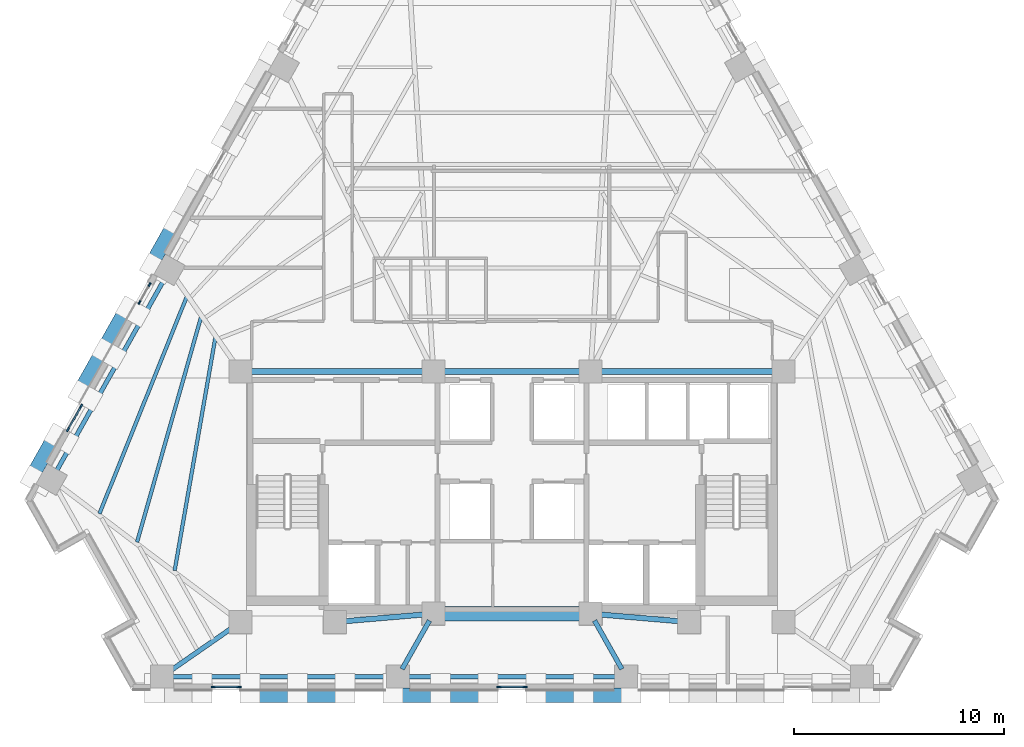
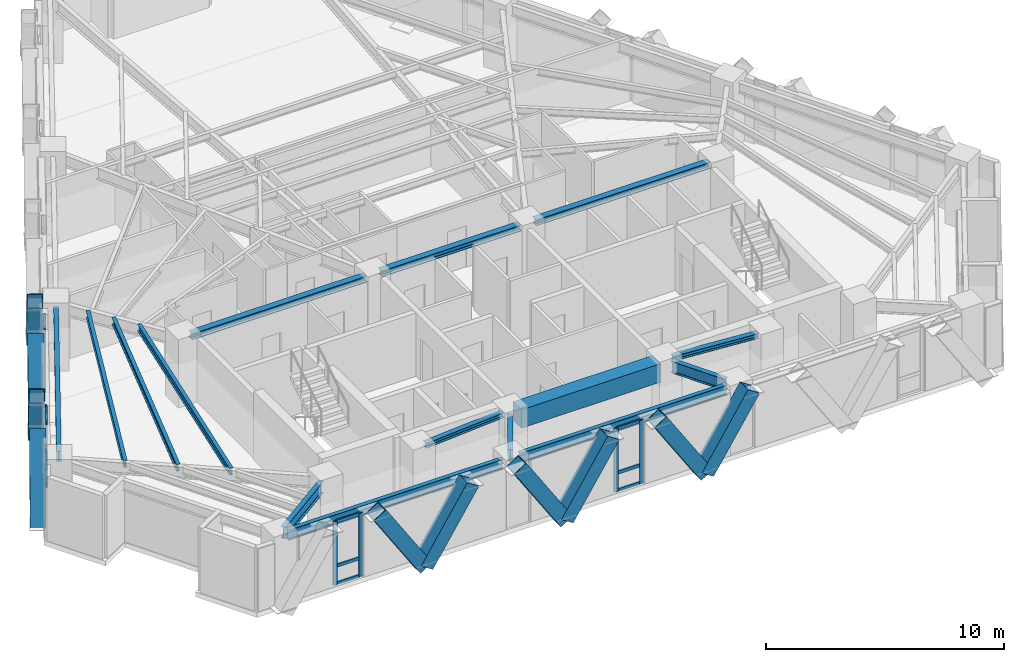
# One storey, part 2 of 13: 27 members, 15 beams, 4 elements without a shape of their own.
"""IFC4 building model written with IfcOpenShell, lengths in metres."""

from ifc_helpers import new_model, si_unit, direction, frame, origin, origin_2d, place, context, subcontext, project, spatial, rectangle, hollow_rectangle, i_section, extrude, material, material_profile, profile_set, type_object, element, aggregate, save


model = new_model("IFC4")

# Units and contexts
model_context = context("Model", 3, precision=1e-05, world=origin(), true_north=direction((0.0, 1.0)))
body_context = subcontext(model_context, "Body", "Model", "MODEL_VIEW")
ifc_project = project(units=[si_unit("LENGTHUNIT", "METRE"), si_unit("AREAUNIT", "SQUARE_METRE"), si_unit("VOLUMEUNIT", "CUBIC_METRE"), si_unit("PLANEANGLEUNIT", "RADIAN"), si_unit("MASSUNIT", "GRAM", prefix="KILO")], contexts=[model_context])

# Site, building, storey
site_placement = place(None, origin())
site = spatial("IfcSite", under=ifc_project, at=site_placement, CompositionType="ELEMENT")
building_placement = place(site_placement, origin())
building = spatial("IfcBuilding", under=site, at=building_placement, Name="Quenlor Broadcast Tower", CompositionType="ELEMENT")
storey_placement = place(building_placement, frame((0.0, 0.0, 119.5)))
storey = spatial("IfcBuildingStorey", under=building, at=storey_placement, Name="L32", CompositionType="ELEMENT", Elevation=119.5)

# Curtain wall, members
ifc_material_1 = material(Name="Architectural Terracotta and Low-E Glazing", Category="masonry")
curtain_wall_type = type_object("IfcCurtainWallType", Name="Unitised Terracotta Curtain Wall System Z2", PredefinedType="NOTDEFINED", material=ifc_material_1)
curtain_wall_1_placement = place(storey_placement, origin())
curtain_wall_1 = element("IfcCurtainWall", 1, at=curtain_wall_1_placement, inside=storey, type_object=curtain_wall_type, Name="L32 Curtain Wall CW2 (L32-SC-G1)", PredefinedType="NOTDEFINED")
ifc_material_2 = material(Name="Aluminium 6063-T6", Category="aluminium")
ifc_material_profile_1 = material_profile(ifc_material_2, rectangle(XDim=0.074951171875, YDim=0.199951171875, at=origin_2d()))
ifc_profile_set_1 = profile_set([ifc_material_profile_1], Name="Aluminium 6063-T6 MULL75x200")
member_type_1 = type_object("IfcMemberType", Name="CW2 Aluminium Mullion MULL_CW2", PredefinedType="MULLION", material=ifc_profile_set_1)
member_1_placement = place(storey_placement, frame((-13.01611328125, -19.840087890625, 0.0), z_axis=(0.0, 0.0, 1.0), x_axis=(0.0, -1.0, 0.0)))
member_1 = element("IfcMember", 2, at=member_1_placement, type_object=member_type_1, Name="CW2 mullion 1", PredefinedType="MULLION", context=body_context, shape_type="SweptSolid", body=[
    extrude(rectangle(XDim=0.074951171875, YDim=0.199951171875, at=origin_2d()), origin(), (0.0, 0.0, 1.0), 3.25),
])
member_2_placement = place(storey_placement, frame((-14.254150390625, -19.840087890625, 0.0), z_axis=(0.0, 0.0, 1.0), x_axis=(0.0, -1.0, 0.0)))
member_2 = element("IfcMember", 3, at=member_2_placement, type_object=member_type_1, Name="CW2 mullion 2", PredefinedType="MULLION", context=body_context, shape_type="SweptSolid", body=[
    extrude(rectangle(XDim=0.074951171875, YDim=0.199951171875, at=origin_2d()), origin(), (0.0, 0.0, 1.0), 3.25),
])

curtain_wall_2_placement = place(storey_placement, origin())
curtain_wall_2 = element("IfcCurtainWall", 4, at=curtain_wall_2_placement, inside=storey, type_object=curtain_wall_type, Name="L32 Curtain Wall CW2 (L32-S-G1)", PredefinedType="NOTDEFINED")
member_3_placement = place(storey_placement, frame((0.618896484375, -19.840087890625, 0.0), z_axis=(0.0, 0.0, 1.0), x_axis=(0.0, -1.0, 0.0)))
member_3 = element("IfcMember", 5, at=member_3_placement, type_object=member_type_1, Name="CW2 mullion 1", PredefinedType="MULLION", context=body_context, shape_type="SweptSolid", body=[
    extrude(rectangle(XDim=0.074951171875, YDim=0.199951171875, at=origin_2d()), origin(), (0.0, 0.0, 1.0), 3.25),
])
member_4_placement = place(storey_placement, frame((-0.618896484375, -19.840087890625, 0.0), z_axis=(0.0, 0.0, 1.0), x_axis=(0.0, -1.0, 0.0)))
member_4 = element("IfcMember", 6, at=member_4_placement, type_object=member_type_1, Name="CW2 mullion 2", PredefinedType="MULLION", context=body_context, shape_type="SweptSolid", body=[
    extrude(rectangle(XDim=0.074951171875, YDim=0.199951171875, at=origin_2d()), origin(), (0.0, 0.0, 1.0), 3.25),
])

curtain_wall_3_placement = place(storey_placement, origin())
curtain_wall_3 = element("IfcCurtainWall", 7, at=curtain_wall_3_placement, inside=storey, type_object=curtain_wall_type, Name="L32 Curtain Wall CW2 (L32-NWA-G1)", PredefinedType="NOTDEFINED")
member_5_placement = place(storey_placement, frame((-21.177734375, -7.57568359375, 0.0), z_axis=(0.0, 0.0, 1.0), x_axis=(-0.871565749621, 0.490278639232, 0.0)))
member_5 = element("IfcMember", 8, at=member_5_placement, type_object=member_type_1, Name="CW2 mullion 1", PredefinedType="MULLION", context=body_context, shape_type="SweptSolid", body=[
    extrude(rectangle(XDim=0.074951171875, YDim=0.199951171875, at=origin_2d()), origin(), (0.0, 0.0, 1.0), 3.25),
])
member_6_placement = place(storey_placement, frame((-20.545654296875, -6.451904296875, 0.0), z_axis=(0.0, 0.0, 1.0), x_axis=(-0.871565749621, 0.490278639232, 0.0)))
member_6 = element("IfcMember", 9, at=member_6_placement, type_object=member_type_1, Name="CW2 mullion 2", PredefinedType="MULLION", context=body_context, shape_type="SweptSolid", body=[
    extrude(rectangle(XDim=0.074951171875, YDim=0.199951171875, at=origin_2d()), origin(), (0.0, 0.0, 1.0), 3.25),
])

curtain_wall_4_placement = place(storey_placement, origin())
curtain_wall_4 = element("IfcCurtainWall", 10, at=curtain_wall_4_placement, inside=storey, type_object=curtain_wall_type, Name="L32 Curtain Wall CW2 (L32-NWA-G2)", PredefinedType="NOTDEFINED")
member_7_placement = place(storey_placement, frame((-17.7646484375, -1.508056640625, 0.0), z_axis=(0.0, 0.0, 1.0), x_axis=(-0.871580587336, 0.490252261371, 0.0)))
member_7 = element("IfcMember", 11, at=member_7_placement, type_object=member_type_1, Name="CW2 mullion 1", PredefinedType="MULLION", context=body_context, shape_type="SweptSolid", body=[
    extrude(rectangle(XDim=0.074951171875, YDim=0.199951171875, at=origin_2d()), origin(), (0.0, 0.0, 1.0), 3.25),
])
member_8_placement = place(storey_placement, frame((-17.282958984375, -0.651611328125, 0.0), z_axis=(0.0, 0.0, 1.0), x_axis=(-0.871580587336, 0.490252261371, 0.0)))
member_8 = element("IfcMember", 12, at=member_8_placement, type_object=member_type_1, Name="CW2 mullion 2", PredefinedType="MULLION", context=body_context, shape_type="SweptSolid", body=[
    extrude(rectangle(XDim=0.074951171875, YDim=0.199951171875, at=origin_2d()), origin(), (0.0, 0.0, 1.0), 3.25),
])
aggregate(curtain_wall_4, [member_7, member_8])

# Member
ifc_material_3 = material(Name="Aluminium 6063-T6", Category="aluminium")
ifc_material_profile_2 = material_profile(ifc_material_3, rectangle(XDim=0.074951171875, YDim=0.1650390625, at=origin_2d()))
ifc_profile_set_2 = profile_set([ifc_material_profile_2], Name="Aluminium 6063-T6 TRAN75x165")
member_type_2 = type_object("IfcMemberType", Name="CW2 Aluminium Transom TRAN_CW2", PredefinedType="USERDEFINED", material=ifc_profile_set_2)
member_9_placement = place(storey_placement, frame((-13.0537109375, -19.840087890625, 0.03759765625), z_axis=(-1.0, 0.0, 0.0), x_axis=(0.0, -1.0, 0.0)))
member_9 = element("IfcMember", 13, at=member_9_placement, type_object=member_type_2, Name="CW2 transom 1.1", ObjectType="TRANSOM", PredefinedType="USERDEFINED", context=body_context, shape_type="SweptSolid", body=[
    extrude(rectangle(XDim=0.074951171875, YDim=0.1650390625, at=origin_2d()), origin(), (0.0, 0.0, 1.0), 1.1630859375),
])

member_10_placement = place(storey_placement, frame((-13.0537109375, -19.840087890625, 0.949951171875), z_axis=(-1.0, 0.0, 0.0), x_axis=(0.0, -1.0, 0.0)))
member_10 = element("IfcMember", 14, at=member_10_placement, type_object=member_type_2, Name="CW2 transom 1.2", ObjectType="TRANSOM", PredefinedType="USERDEFINED", context=body_context, shape_type="SweptSolid", body=[
    extrude(rectangle(XDim=0.074951171875, YDim=0.1650390625, at=origin_2d()), origin(), (0.0, 0.0, 1.0), 1.1630859375),
])

member_11_placement = place(storey_placement, frame((-13.0537109375, -19.840087890625, 3.21240234375), z_axis=(-1.0, 0.0, 0.0), x_axis=(0.0, -1.0, 0.0)))
member_11 = element("IfcMember", 15, at=member_11_placement, type_object=member_type_2, Name="CW2 transom 1.3", ObjectType="TRANSOM", PredefinedType="USERDEFINED", context=body_context, shape_type="SweptSolid", body=[
    extrude(rectangle(XDim=0.074951171875, YDim=0.1650390625, at=origin_2d()), origin(), (0.0, 0.0, 1.0), 1.1630859375),
])

aggregate(curtain_wall_1, [member_1, member_2, member_9, member_10, member_11])

member_12_placement = place(storey_placement, frame((0.58154296875, -19.840087890625, 0.03759765625), z_axis=(-1.0, 0.0, 0.0), x_axis=(0.0, -1.0, 0.0)))
member_12 = element("IfcMember", 16, at=member_12_placement, type_object=member_type_2, Name="CW2 transom 1.1", ObjectType="TRANSOM", PredefinedType="USERDEFINED", context=body_context, shape_type="SweptSolid", body=[
    extrude(rectangle(XDim=0.074951171875, YDim=0.1650390625, at=origin_2d()), origin(), (0.0, 0.0, 1.0), 1.1630859375),
])

member_13_placement = place(storey_placement, frame((0.58154296875, -19.840087890625, 0.949951171875), z_axis=(-1.0, 0.0, 0.0), x_axis=(0.0, -1.0, 0.0)))
member_13 = element("IfcMember", 17, at=member_13_placement, type_object=member_type_2, Name="CW2 transom 1.2", ObjectType="TRANSOM", PredefinedType="USERDEFINED", context=body_context, shape_type="SweptSolid", body=[
    extrude(rectangle(XDim=0.074951171875, YDim=0.1650390625, at=origin_2d()), origin(), (0.0, 0.0, 1.0), 1.1630859375),
])

member_14_placement = place(storey_placement, frame((0.58154296875, -19.840087890625, 3.21240234375), z_axis=(-1.0, 0.0, 0.0), x_axis=(0.0, -1.0, 0.0)))
member_14 = element("IfcMember", 18, at=member_14_placement, type_object=member_type_2, Name="CW2 transom 1.3", ObjectType="TRANSOM", PredefinedType="USERDEFINED", context=body_context, shape_type="SweptSolid", body=[
    extrude(rectangle(XDim=0.074951171875, YDim=0.1650390625, at=origin_2d()), origin(), (0.0, 0.0, 1.0), 1.1630859375),
])

aggregate(curtain_wall_2, [member_3, member_4, member_12, member_13, member_14])

member_15_placement = place(storey_placement, frame((-21.159423828125, -7.54296875, 0.03759765625), z_axis=(0.490347143438, 0.871527210661, 0.0), x_axis=(-0.871527210661, 0.490347143438, 0.0)))
member_15 = element("IfcMember", 19, at=member_15_placement, type_object=member_type_2, Name="CW2 transom 1.1", ObjectType="TRANSOM", PredefinedType="USERDEFINED", context=body_context, shape_type="SweptSolid", body=[
    extrude(rectangle(XDim=0.074951171875, YDim=0.1650390625, at=origin_2d()), origin(), (0.0, 0.0, 1.0), 1.21435546875),
])

member_16_placement = place(storey_placement, frame((-21.159423828125, -7.54296875, 0.949951171875), z_axis=(0.490347143438, 0.871527210661, 0.0), x_axis=(-0.871527210661, 0.490347143438, 0.0)))
member_16 = element("IfcMember", 20, at=member_16_placement, type_object=member_type_2, Name="CW2 transom 1.2", ObjectType="TRANSOM", PredefinedType="USERDEFINED", context=body_context, shape_type="SweptSolid", body=[
    extrude(rectangle(XDim=0.074951171875, YDim=0.1650390625, at=origin_2d()), origin(), (0.0, 0.0, 1.0), 1.21435546875),
])

member_17_placement = place(storey_placement, frame((-21.159423828125, -7.54296875, 3.21240234375), z_axis=(0.490347143438, 0.871527210661, 0.0), x_axis=(-0.871527210661, 0.490347143438, 0.0)))
member_17 = element("IfcMember", 21, at=member_17_placement, type_object=member_type_2, Name="CW2 transom 1.3", ObjectType="TRANSOM", PredefinedType="USERDEFINED", context=body_context, shape_type="SweptSolid", body=[
    extrude(rectangle(XDim=0.074951171875, YDim=0.1650390625, at=origin_2d()), origin(), (0.0, 0.0, 1.0), 1.21435546875),
])

aggregate(curtain_wall_3, [member_5, member_6, member_15, member_16, member_17])

# Beams
ifc_material_4 = material(Name="Concrete C50/60", Category="concrete")
ifc_material_profile_3 = material_profile(ifc_material_4, rectangle(XDim=0.699951171875, YDim=0.949951171875, at=origin_2d()))
ifc_profile_set_3 = profile_set([ifc_material_profile_3], Name="Concrete C50/60 RCB700x950")
beam_type_1 = type_object("IfcBeamType", Name="Core Coupling Beam Concrete C50/60 700x950", PredefinedType="BEAM", material=ifc_profile_set_3)
beam_1_placement = place(storey_placement, frame((-3.389892578125, -16.35009765625, 2.77490234375), z_axis=(1.0, 0.0, 0.0), x_axis=(0.0, 1.0, 0.0)))
element("IfcBeam", 22, at=beam_1_placement, inside=storey, type_object=beam_type_1, Name="L32 Core Coupling Beam 6", PredefinedType="BEAM", context=body_context, shape_type="SweptSolid", body=[
    extrude(rectangle(XDim=0.699951171875, YDim=0.949951171875, at=origin_2d()), origin(), (0.0, 0.0, 1.0), 6.77978515625),
])
ifc_material_5 = material(Name="Steel S355", Category="steel")
ifc_material_profile_4 = material_profile(ifc_material_5, i_section(OverallWidth=0.304931640625, OverallDepth=0.30810546875, WebThickness=0.010009765625, FlangeThickness=0.015380859375, FilletRadius=0.0166015625, at=origin_2d()))
ifc_profile_set_4 = profile_set([ifc_material_profile_4], Name="Steel S355 310UC96.8")
beam_type_2 = type_object("IfcBeamType", Name="Core Header Beam Steel S355 310UC96.8", PredefinedType="BEAM", material=ifc_profile_set_4)
beam_2_placement = place(storey_placement, frame((-3.389892578125, -4.800048828125, 3.095947265625), z_axis=(1.0, 0.0, 0.0), x_axis=(0.0, 1.0, 0.0)))
element("IfcBeam", 23, at=beam_2_placement, inside=storey, type_object=beam_type_2, Name="L32 Core Header Beam 2", PredefinedType="BEAM", context=body_context, shape_type="SweptSolid", body=[
    extrude(i_section(OverallWidth=0.304931640625, OverallDepth=0.30810546875, WebThickness=0.010009765625, FlangeThickness=0.015380859375, FilletRadius=0.0166015625, at=origin_2d()), origin(), (0.0, 0.0, 1.0), 6.77978515625),
])
ifc_material_6 = material(Name="Steel S355", Category="steel")
ifc_material_profile_5 = material_profile(ifc_material_6, i_section(OverallWidth=0.25390625, OverallDepth=0.25390625, WebThickness=0.008544921875, FlangeThickness=0.01416015625, FilletRadius=0.013916015625, at=origin_2d()))
ifc_profile_set_5 = profile_set([ifc_material_profile_5], Name="Steel S355 250UC72.9")
beam_type_3 = type_object("IfcBeamType", Name="Core Opening Lintel Beam Steel S355 250UC72.9", PredefinedType="LINTEL", material=ifc_profile_set_5)
for number, where, z_axis, x_axis, name in (
    (24, (-8.09130859375, -16.719482421875, 3.123046875), (0.996399763903, 0.084779186679, 0.0), (-0.084779186679, 0.996399763903, 0.0), "L32 Core Opening Lintel Beam 4"),
    (25, (4.108642578125, -16.380615234375, 3.123046875), (0.996399763903, -0.084779186679, 0.0), (0.084779186679, 0.996399763903, 0.0), "L32 Core Opening Lintel Beam 5"),
):
    element("IfcBeam", number, at=place(storey_placement, frame(where, z_axis=z_axis, x_axis=x_axis)), inside=storey, type_object=beam_type_3, Name=name, PredefinedType="LINTEL", context=body_context, shape_type="SweptSolid", body=[
        extrude(i_section(OverallWidth=0.25390625, OverallDepth=0.25390625, WebThickness=0.008544921875, FlangeThickness=0.01416015625, FilletRadius=0.013916015625, at=origin_2d()), origin(), (0.0, 0.0, 1.0), 3.9970703125),
    ])
ifc_material_7 = material(Name="Steel S355", Category="steel")
ifc_material_profile_6 = material_profile(ifc_material_7, i_section(OverallWidth=0.306884765625, OverallDepth=0.314697265625, WebThickness=0.011962890625, FlangeThickness=0.018798828125, FilletRadius=0.0166015625, at=origin_2d()))
ifc_profile_set_6 = profile_set([ifc_material_profile_6], Name="Steel S355 310UC118")
beam_type_4 = type_object("IfcBeamType", Name="Core Tie Beam Steel S355 310UC118", PredefinedType="BEAM", material=ifc_profile_set_6)
for number, where, z_axis, x_axis, name in (
    (26, (-12.590087890625, -4.800048828125, 3.0927734375), (1.0, 0.0, 0.0), (0.0, 1.0, 0.0), "L32 Core Tie Beam 1"),
    (27, (4.110107421875, -4.800048828125, 3.0927734375), (1.0, 0.0, 0.0), (0.0, 1.0, 0.0), "L32 Core Tie Beam 3"),
):
    element("IfcBeam", number, at=place(storey_placement, frame(where, z_axis=z_axis, x_axis=x_axis)), inside=storey, type_object=beam_type_4, Name=name, PredefinedType="BEAM", context=body_context, shape_type="SweptSolid", body=[
        extrude(i_section(OverallWidth=0.306884765625, OverallDepth=0.314697265625, WebThickness=0.011962890625, FlangeThickness=0.018798828125, FilletRadius=0.0166015625, at=origin_2d()), origin(), (0.0, 0.0, 1.0), 8.47998046875),
    ])

# Members
ifc_material_8 = material(Name="Steel S355", Category="steel")
ifc_material_profile_7 = material_profile(ifc_material_8, hollow_rectangle(XDim=0.679931640625, YDim=0.679931640625, WallThickness=0.030029296875, at=origin_2d()))
ifc_profile_set_7 = profile_set([ifc_material_profile_7], Name="Steel S355 RHS680x680x30")
member_type_3 = type_object("IfcMemberType", Name="Perimeter Diagonal Lattice Brace Z2 Steel S355 RHS680x30", PredefinedType="BRACE", material=ifc_profile_set_7)
for number, where, z_axis, x_axis, name in (
    (28, (3.42236328125, -20.235107421875, -0.1201171875), (0.539968035679, 0.0, 0.841685523485), (0.0, 1.0, 0.0), "L32 Perimeter Diamond Lattice S-C2B"),
    (29, (3.395263671875, -20.235107421875, -0.1201171875), (-0.539968035679, 0.0, 0.841685523485), (0.0, -1.0, 0.0), "L32 Perimeter Diamond Lattice S-C3S"),
    (30, (-3.395263671875, -20.235107421875, -0.1201171875), (0.539968035679, 0.0, 0.841685523485), (0.0, 1.0, 0.0), "L32 Perimeter Diamond Lattice S-C3B"),
    (31, (-3.42236328125, -20.235107421875, -0.1201171875), (-0.539968035679, 0.0, 0.841685523485), (0.0, -1.0, 0.0), "L32 Perimeter Diamond Lattice S-C4S"),
    (32, (-10.212890625, -20.235107421875, -0.1201171875), (0.539968035679, 0.0, 0.841685523485), (0.0, 1.0, 0.0), "L32 Perimeter Diamond Lattice S-C4B"),
    (33, (-10.239990234375, -20.235107421875, -0.1201171875), (-0.539968035679, 0.0, 0.841685523485), (0.0, -1.0, 0.0), "L32 Perimeter Diamond Lattice S-C5S"),
):
    element("IfcMember", number, at=place(storey_placement, frame(where, z_axis=z_axis, x_axis=x_axis)), inside=storey, type_object=member_type_3, Name=name, PredefinedType="BRACE", context=body_context, shape_type="SweptSolid", body=[
        extrude(hollow_rectangle(XDim=0.679931640625, YDim=0.679931640625, WallThickness=0.030029296875, at=origin_2d()), origin(), (0.0, 0.0, 1.0), 4.158203125),
    ])
for number, where, z_axis, x_axis, name in (
    (34, (-22.90576171875, -9.841796875, -0.1201171875), (0.268696511206, 0.477585438485, 0.836489290913), (-0.871532878923, 0.490337068716, 0.0), "L32 Perimeter Diamond Lattice NW-C1S"),
    (35, (-19.506103515625, -3.79833984375, -0.1201171875), (-0.268696511206, -0.477585438485, 0.836489290913), (0.871532878923, -0.490337068716, 0.0), "L32 Perimeter Diamond Lattice NW-C1B"),
    (36, (-19.49267578125, -3.774169921875, -0.1201171875), (0.268696511206, 0.477585438485, 0.836489290913), (-0.871532878923, 0.490337068716, 0.0), "L32 Perimeter Diamond Lattice NW-C2S"),
    (37, (-16.093017578125, 2.269287109375, -0.1201171875), (-0.268696511206, -0.477585438485, 0.836489290913), (0.871532878923, -0.490337068716, 0.0), "L32 Perimeter Diamond Lattice NW-C2B"),
):
    element("IfcMember", number, at=place(storey_placement, frame(where, z_axis=z_axis, x_axis=x_axis)), inside=storey, type_object=member_type_3, Name=name, PredefinedType="BRACE", context=body_context, shape_type="SweptSolid", body=[
        extrude(hollow_rectangle(XDim=0.679931640625, YDim=0.679931640625, WallThickness=0.030029296875, at=origin_2d()), origin(), (0.0, 0.0, 1.0), 4.18408203125),
    ])

# Beams
ifc_material_9 = material(Name="Steel S355", Category="steel")
ifc_material_profile_8 = material_profile(ifc_material_9, i_section(OverallWidth=0.208984375, OverallDepth=0.5283203125, WebThickness=0.009521484375, FlangeThickness=0.01318359375, FilletRadius=0.013916015625, at=origin_2d()))
ifc_profile_set_8 = profile_set([ifc_material_profile_8], Name="Steel S355 530UB82.0")
beam_type_5 = type_object("IfcBeamType", Name="Perimeter Spandrel Beam Z2 Steel S355 530UB82.0", PredefinedType="SPANDREL", material=ifc_profile_set_8)
beam_3_placement = place(storey_placement, frame((-16.282470703125, -19.35009765625, 2.98583984375), z_axis=(1.0, 0.0, 0.0), x_axis=(0.0, 1.0, 0.0)))
element("IfcBeam", 38, at=beam_3_placement, inside=storey, type_object=beam_type_5, Name="L32 Spandrel Beam S1-S2", PredefinedType="SPANDREL", context=body_context, shape_type="SweptSolid", body=[
    extrude(i_section(OverallWidth=0.208984375, OverallDepth=0.5283203125, WebThickness=0.009521484375, FlangeThickness=0.01318359375, FilletRadius=0.013916015625, at=origin_2d()), origin(), (0.0, 0.0, 1.0), 10.42919921875),
])
beam_4_placement = place(storey_placement, frame((-5.033203125, -19.35009765625, 2.98583984375), z_axis=(1.0, 0.0, 0.0), x_axis=(0.0, 1.0, 0.0)))
element("IfcBeam", 39, at=beam_4_placement, inside=storey, type_object=beam_type_5, Name="L32 Spandrel Beam S2-S3", PredefinedType="SPANDREL", context=body_context, shape_type="SweptSolid", body=[
    extrude(i_section(OverallWidth=0.208984375, OverallDepth=0.5283203125, WebThickness=0.009521484375, FlangeThickness=0.01318359375, FilletRadius=0.013916015625, at=origin_2d()), origin(), (0.0, 0.0, 1.0), 10.06640625),
])
beam_5_placement = place(storey_placement, frame((-16.531005859375, -0.314453125, 2.98583984375), z_axis=(-0.490263415828, -0.871574313011, 0.0), x_axis=(0.871574313011, -0.490263415828, 0.0)))
element("IfcBeam", 40, at=beam_5_placement, inside=storey, type_object=beam_type_5, Name="L32 Spandrel Beam NW3-NW4", PredefinedType="SPANDREL", context=body_context, shape_type="SweptSolid", body=[
    extrude(i_section(OverallWidth=0.208984375, OverallDepth=0.5283203125, WebThickness=0.009521484375, FlangeThickness=0.01318359375, FilletRadius=0.013916015625, at=origin_2d()), origin(), (0.0, 0.0, 1.0), 10.65283203125),
])
ifc_material_10 = material(Name="Steel S355", Category="steel")
ifc_material_profile_9 = material_profile(ifc_material_10, i_section(OverallWidth=0.172119140625, OverallDepth=0.358642578125, WebThickness=0.008056640625, FlangeThickness=0.012939453125, FilletRadius=0.011474609375, at=origin_2d()))
ifc_profile_set_9 = profile_set([ifc_material_profile_9], Name="Steel S355 360UB56.7")
beam_type_6 = type_object("IfcBeamType", Name="Tower Composite Joist Z2-Z3 Steel S355 360UB56.7", PredefinedType="JOIST", material=ifc_profile_set_9)
beam_6_placement = place(storey_placement, frame((-16.087890625, -14.29345703125, 3.07080078125), z_axis=(0.172120396521, 0.985075920476, 0.0), x_axis=(-0.985075920476, 0.172120396521, 0.0)))
element("IfcBeam", 41, at=beam_6_placement, inside=storey, type_object=beam_type_6, Name="L32 Secondary Composite Joist 13", PredefinedType="JOIST", context=body_context, shape_type="SweptSolid", body=[
    extrude(i_section(OverallWidth=0.172119140625, OverallDepth=0.358642578125, WebThickness=0.008056640625, FlangeThickness=0.012939453125, FilletRadius=0.011474609375, at=origin_2d()), origin(), (0.0, 0.0, 1.0), 11.27783203125),
])
beam_7_placement = place(storey_placement, frame((-17.880615234375, -12.9365234375, 3.07080078125), z_axis=(0.273563993601, 0.96185380459, 0.0), x_axis=(-0.96185380459, 0.273563993601, 0.0)))
element("IfcBeam", 42, at=beam_7_placement, inside=storey, type_object=beam_type_6, Name="L32 Secondary Composite Joist 14", PredefinedType="JOIST", context=body_context, shape_type="SweptSolid", body=[
    extrude(i_section(OverallWidth=0.172119140625, OverallDepth=0.358642578125, WebThickness=0.008056640625, FlangeThickness=0.012939453125, FilletRadius=0.011474609375, at=origin_2d()), origin(), (0.0, 0.0, 1.0), 11.1484375),
])
beam_8_placement = place(storey_placement, frame((-19.673583984375, -11.580810546875, 3.07080078125), z_axis=(0.373180395983, 0.92775880058, 0.0), x_axis=(-0.92775880058, 0.373180395983, 0.0)))
element("IfcBeam", 43, at=beam_8_placement, inside=storey, type_object=beam_type_6, Name="L32 Secondary Composite Joist 15", PredefinedType="JOIST", context=body_context, shape_type="SweptSolid", body=[
    extrude(i_section(OverallWidth=0.172119140625, OverallDepth=0.358642578125, WebThickness=0.008056640625, FlangeThickness=0.012939453125, FilletRadius=0.011474609375, at=origin_2d()), origin(), (0.0, 0.0, 1.0), 11.143798828125),
])
ifc_material_11 = material(Name="Steel S355", Category="steel")
ifc_material_profile_10 = material_profile(ifc_material_11, i_section(OverallWidth=0.22802734375, OverallDepth=0.60205078125, WebThickness=0.010498046875, FlangeThickness=0.014892578125, FilletRadius=0.013916015625, at=origin_2d()))
ifc_profile_set_10 = profile_set([ifc_material_profile_10], Name="Steel S355 610UB101")
beam_type_7 = type_object("IfcBeamType", Name="Tower Primary Floor Beam Z2 Steel S355 610UB101", PredefinedType="BEAM", material=ifc_profile_set_10)
beam_9_placement = place(storey_placement, frame((-16.355712890625, -19.1162109375, 2.948974609375), z_axis=(0.821227395059, 0.570601056436, 0.0), x_axis=(-0.570601056436, 0.821227395059, 0.0)))
element("IfcBeam", 44, at=beam_9_placement, inside=storey, type_object=beam_type_7, Name="L32 Primary Radial Beam S1", PredefinedType="BEAM", context=body_context, shape_type="SweptSolid", body=[
    extrude(i_section(OverallWidth=0.22802734375, OverallDepth=0.60205078125, WebThickness=0.010498046875, FlangeThickness=0.014892578125, FilletRadius=0.013916015625, at=origin_2d()), origin(), (0.0, 0.0, 1.0), 3.766845703125),
])
for number, where, z_axis, x_axis, name in (
    (45, (-5.24169921875, -18.992919921875, 2.948974609375), (0.491526879548, 0.870862403989, 0.0), (-0.870862403989, 0.491526879548, 0.0), "L32 Primary Radial Beam S2"),
    (46, (5.24169921875, -18.992919921875, 2.948974609375), (-0.491526879548, 0.870862403989, 0.0), (-0.870862403989, -0.491526879548, 0.0), "L32 Primary Radial Beam S3"),
):
    element("IfcBeam", number, at=place(storey_placement, frame(where, z_axis=z_axis, x_axis=x_axis)), inside=storey, type_object=beam_type_7, Name=name, PredefinedType="BEAM", context=body_context, shape_type="SweptSolid", body=[
        extrude(i_section(OverallWidth=0.22802734375, OverallDepth=0.60205078125, WebThickness=0.010498046875, FlangeThickness=0.014892578125, FilletRadius=0.013916015625, at=origin_2d()), origin(), (0.0, 0.0, 1.0), 2.65478515625),
    ])

save(model, "model.ifc")
